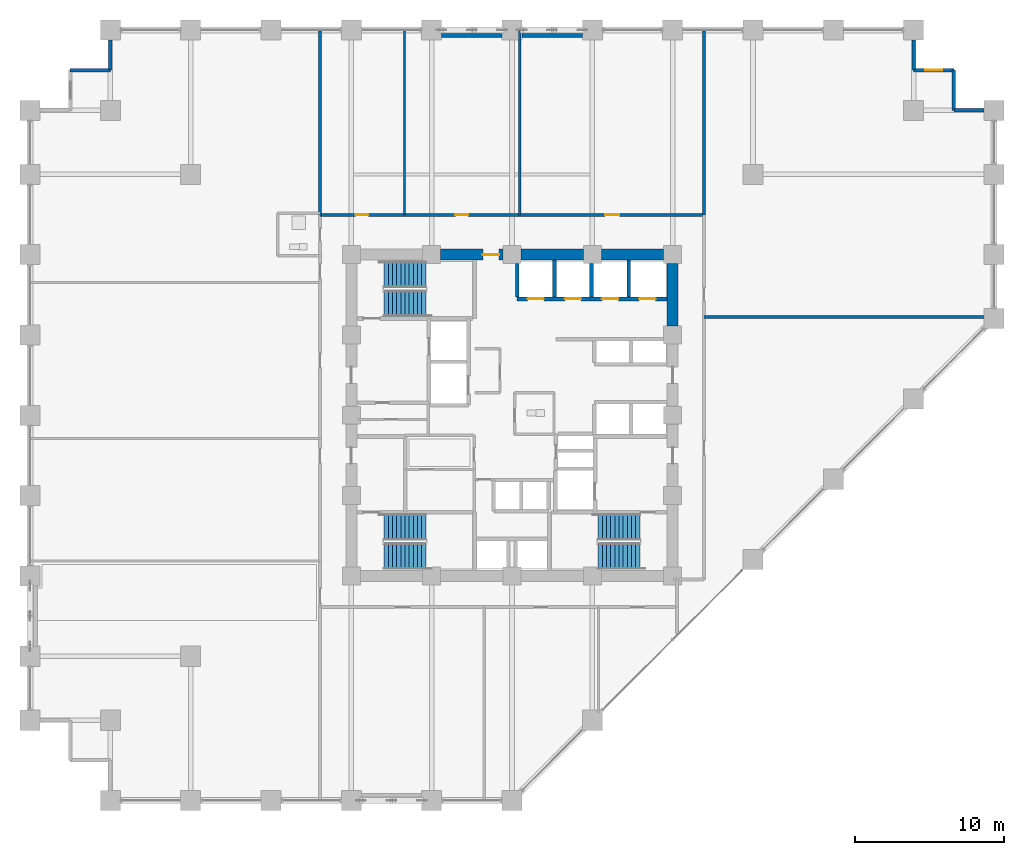
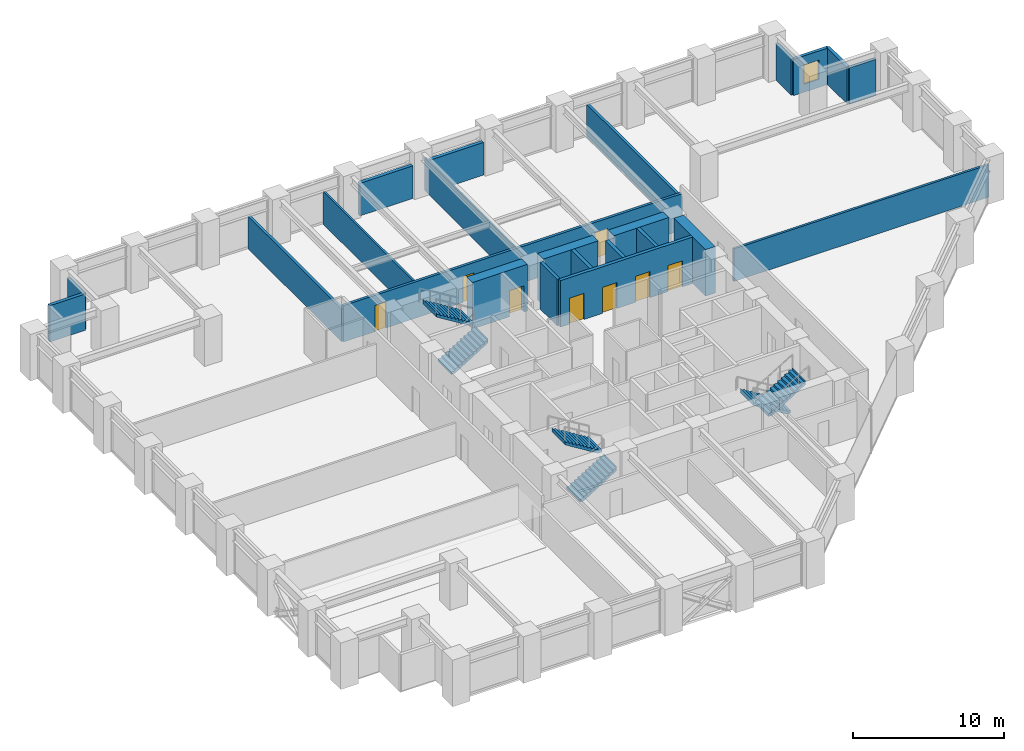
# One storey, part 22 of 25: 23 walls, 8 doors, 6 stair flights, 1 window, 9 openings, 3 elements without a shape of their own.
"""IFC4 building model written with IfcOpenShell, lengths in metres."""

from ifc_helpers import new_model, si_unit, direction, frame, frame_2d, origin, place, context, subcontext, project, spatial, polyline, rectangle, outline, extrude, material, layer, layer_set, type_object, element, fill, aggregate, save


model = new_model("IFC4")

# Units and contexts
model_context = context("Model", 3, precision=1e-05, world=origin(), true_north=direction((0.0, 1.0)))
body_context = subcontext(model_context, "Body", "Model", "MODEL_VIEW")
ifc_project = project(units=[si_unit("LENGTHUNIT", "METRE"), si_unit("AREAUNIT", "SQUARE_METRE"), si_unit("VOLUMEUNIT", "CUBIC_METRE"), si_unit("PLANEANGLEUNIT", "RADIAN"), si_unit("MASSUNIT", "GRAM", prefix="KILO")], contexts=[model_context])

# Site, building, storey
site_placement = place(None, origin())
site = spatial("IfcSite", under=ifc_project, at=site_placement, CompositionType="ELEMENT")
building_placement = place(site_placement, origin())
building = spatial("IfcBuilding", under=site, at=building_placement, Name="Surkhivell Harbour Commons", CompositionType="ELEMENT")
storey_placement = place(building_placement, frame((0.0, 0.0, 45.0)))
storey = spatial("IfcBuildingStorey", under=building, at=storey_placement, Name="L11", CompositionType="ELEMENT", Elevation=45.0)

# Wall, opening, door
ifc_material_1 = material(Name="Concrete C60/75", Category="concrete")
ifc_layer_1 = layer(ifc_material_1, 0.75)
ifc_layer_set_1 = layer_set([ifc_layer_1], Name="Concrete C60/75")
wall_type_1 = type_object("IfcWallType", Name="WAL-CORE-750", PredefinedType="SHEAR", material=ifc_layer_set_1)
wall_1_placement = place(storey_placement, frame((-4.7900390625, 10.800048828125, 0.0), z_axis=(0.0, 0.0, 1.0), x_axis=(1.0, 0.0, 0.0)))
wall_1 = element("IfcWall", 1, at=wall_1_placement, inside=storey, type_object=wall_type_1, Name="L11 Core Shear Wall North 2", PredefinedType="SHEAR", context=body_context, shape_type="SweptSolid", body=[
    extrude(rectangle(XDim=4.179931640625, YDim=0.75, at=frame_2d((2.08984375, 0.0))), origin(), (0.0, 0.0, 1.0), 3.75),
])
opening_1_placement = place(wall_1_placement, frame((2.830078125, 0.0, 0.0)))
opening_1 = element("IfcOpeningElement", 2, at=opening_1_placement, cuts=wall_1, Name="Opening ID-2", PredefinedType="OPENING", context=body_context, shape_type="SweptSolid", body=[
    extrude(rectangle(XDim=1.10009765625, YDim=2.10009765625, at=frame_2d((0.550048828125, 1.050048828125))), frame((0.0, 0.385009765625, 0.0), z_axis=(0.0, -1.0, 0.0), x_axis=(1.0, 0.0, 0.0)), (0.0, 0.0, 1.0), 0.77001953125),
])
ifc_material_2 = material(Name="Hardwood-veneered fire-rated door leaf", Category="wood")
door_type_1 = type_object("IfcDoorType", Name="DOR-FD60-1100", OperationType="NOTDEFINED", PredefinedType="DOOR", material=ifc_material_2)
door_1_placement = place(opening_1_placement, origin())
door_1 = element("IfcDoor", 3, at=door_1_placement, inside=storey, type_object=door_type_1, Name="L11 Central Core Lift Hall North Corridor Door", OperationType="SINGLE_SWING_LEFT", OverallHeight=2.10009765625, OverallWidth=1.10009765625, PredefinedType="DOOR", context=body_context, shape_type="SweptSolid", body=[
    extrude(rectangle(XDim=1.10009765625, YDim=2.10009765625, at=frame_2d((0.550048828125, 1.050048828125))), frame((0.0, 0.02490234375, 0.0), z_axis=(0.0, -1.0, 0.0), x_axis=(1.0, 0.0, 0.0)), (0.0, 0.0, 1.0), 0.050048828125),
])
fill(opening_1, door_1)

# Walls
for number, where, z_axis, x_axis, name in (
    (4, (0.610107421875, 10.800048828125, 0.0), (0.0, 0.0, 1.0), (1.0, 0.0, 0.0), "L11 Core Shear Wall North 3"),
    (5, (6.010009765625, 10.800048828125, 0.0), (0.0, 0.0, 1.0), (1.0, 0.0, 0.0), "L11 Core Shear Wall North 4"),
    (6, (10.800048828125, 6.010009765625, 0.0), (0.0, 0.0, 1.0), (0.0, 1.0, 0.0), "L11 Core Shear Wall East 4"),
):
    element("IfcWall", number, at=place(storey_placement, frame(where, z_axis=z_axis, x_axis=x_axis)), inside=storey, type_object=wall_type_1, Name=name, PredefinedType="SHEAR", context=body_context, shape_type="SweptSolid", body=[
        extrude(rectangle(XDim=4.179931640625, YDim=0.75, at=frame_2d((2.08984375, 0.0))), origin(), (0.0, 0.0, 1.0), 3.75),
    ])
ifc_material_3 = material(Name="Pale-metal insulated precast concrete C45/55", Category="concrete")
ifc_layer_2 = layer(ifc_material_3, 0.260009765625)
ifc_layer_set_2 = layer_set([ifc_layer_2], Name="Pale-metal insulated precast concrete C45/55")
wall_type_2 = type_object("IfcWallType", Name="WAL-EXT-MTL260", PredefinedType="STANDARD", material=ifc_layer_set_2)
for number, where, z_axis, x_axis, name in (
    (7, (-0.673095703125, 25.5400390625, 0.0), (0.0, 0.0, 1.0), (-1.0, 0.0, 0.0), "L11 Braced-Bay Insulated Spandrel Backing N"),
    (8, (4.72705078125, 25.5400390625, 0.0), (0.0, 0.0, 1.0), (-1.0, 0.0, 0.0), "L11 Braced-Bay Insulated Spandrel Backing N2"),
):
    element("IfcWall", number, at=place(storey_placement, frame(where, z_axis=z_axis, x_axis=x_axis)), inside=storey, type_object=wall_type_2, Name=name, PredefinedType="STANDARD", context=body_context, shape_type="SweptSolid", body=[
        extrude(rectangle(XDim=4.053955078125, YDim=0.260009765625, at=frame_2d((2.02685546875, 0.0))), origin(), (0.0, 0.0, 1.0), 2.62890625),
    ])
ifc_material_4 = material(Name="Bronze-ochre cassette precast concrete C45/55", Category="concrete")
ifc_layer_3 = layer(ifc_material_4, 0.239990234375)
ifc_layer_set_3 = layer_set([ifc_layer_3], Name="Bronze-ochre cassette precast concrete C45/55")
wall_type_3 = type_object("IfcWallType", Name="WAL-EXT-OCH240", PredefinedType="STANDARD", material=ifc_layer_set_3)
wall_2_placement = place(storey_placement, frame((31.72705078125, 20.5, 0.0), z_axis=(0.0, 0.0, 1.0), x_axis=(-1.0, 0.0, 0.0)))
element("IfcWall", 9, at=wall_2_placement, inside=storey, type_object=wall_type_3, Name="L11 Serrated Corner Facade Wall 03", PredefinedType="STANDARD", context=body_context, shape_type="SweptSolid", body=[
    extrude(rectangle(XDim=2.027099609375, YDim=0.239990234375, at=frame_2d((1.013671875, 0.0))), origin(), (0.0, 0.0, 1.0), 2.929931640625),
])
wall_3_placement = place(storey_placement, frame((29.699951171875, 20.5, 0.0), z_axis=(0.0, 0.0, 1.0), x_axis=(0.0, 1.0, 0.0)))
element("IfcWall", 10, at=wall_3_placement, inside=storey, type_object=wall_type_3, Name="L11 Serrated Corner Facade Wall 04", PredefinedType="STANDARD", context=body_context, shape_type="SweptSolid", body=[
    extrude(rectangle(XDim=2.699951171875, YDim=0.239990234375, at=frame_2d((1.35009765625, 0.0))), origin(), (0.0, 0.0, 1.0), 2.929931640625),
])

# Wall, opening, window
wall_4_placement = place(storey_placement, frame((29.699951171875, 23.199951171875, 0.0), z_axis=(0.0, 0.0, 1.0), x_axis=(-1.0, 0.0, 0.0)))
wall_4 = element("IfcWall", 11, at=wall_4_placement, inside=storey, type_object=wall_type_3, Name="L11 Serrated Corner Facade Wall 05", PredefinedType="STANDARD", context=body_context, shape_type="SweptSolid", body=[
    extrude(rectangle(XDim=2.699951171875, YDim=0.239990234375, at=frame_2d((1.35009765625, 0.0))), origin(), (0.0, 0.0, 1.0), 2.929931640625),
])
opening_2_placement = place(wall_4_placement, frame((0.77490234375, 0.0, 0.64990234375)))
opening_2 = element("IfcOpeningElement", 12, at=opening_2_placement, cuts=wall_4, Name="Opening WN-10", PredefinedType="OPENING", context=body_context, shape_type="SweptSolid", body=[
    extrude(rectangle(XDim=1.14990234375, YDim=1.550048828125, at=frame_2d((0.574951171875, 0.77490234375))), frame((0.0, 0.1298828125, 0.0), z_axis=(0.0, -1.0, 0.0), x_axis=(1.0, 0.0, 0.0)), (0.0, 0.0, 1.0), 0.260009765625),
])
ifc_material_5 = material(Name="Thermal-break aluminium frame and double low-E glazing", Category="aluminium")
window_type = type_object("IfcWindowType", Name="WIN-SER-1150x1550", PartitioningType="SINGLE_PANEL", PredefinedType="WINDOW", material=ifc_material_5)
window_placement = place(opening_2_placement, origin())
window = element("IfcWindow", 13, at=window_placement, inside=storey, type_object=window_type, Name="L11 Serrated Alcove Window 05", OverallHeight=1.550048828125, OverallWidth=1.14990234375, PartitioningType="SINGLE_PANEL", PredefinedType="WINDOW", context=body_context, shape_type="SweptSolid", body=[
    extrude(rectangle(XDim=1.14990234375, YDim=1.550048828125, at=frame_2d((0.574951171875, 0.77490234375))), frame((0.0, 0.030029296875, 0.0), z_axis=(0.0, -1.0, 0.0), x_axis=(1.0, 0.0, 0.0)), (0.0, 0.0, 1.0), 0.06005859375),
])
fill(opening_2, window)

# Walls
for number, where, z_axis, x_axis, name in (
    (14, (27.0, 23.199951171875, 0.0), (0.0, 0.0, 1.0), (0.0, 1.0, 0.0), "L11 Serrated Corner Facade Wall 06"),
    (15, (-27.0, 25.22705078125, 0.0), (0.0, 0.0, 1.0), (0.0, -1.0, 0.0), "L11 Serrated Corner Facade Wall 08"),
):
    element("IfcWall", number, at=place(storey_placement, frame(where, z_axis=z_axis, x_axis=x_axis)), inside=storey, type_object=wall_type_3, Name=name, PredefinedType="STANDARD", context=body_context, shape_type="SweptSolid", body=[
        extrude(rectangle(XDim=2.027099609375, YDim=0.239990234375, at=frame_2d((1.013671875, 0.0))), origin(), (0.0, 0.0, 1.0), 2.929931640625),
    ])
wall_5_placement = place(storey_placement, frame((-27.0, 23.199951171875, 0.0), z_axis=(0.0, 0.0, 1.0), x_axis=(-1.0, 0.0, 0.0)))
element("IfcWall", 16, at=wall_5_placement, inside=storey, type_object=wall_type_3, Name="L11 Serrated Corner Facade Wall 09", PredefinedType="STANDARD", context=body_context, shape_type="SweptSolid", body=[
    extrude(rectangle(XDim=2.699951171875, YDim=0.239990234375, at=frame_2d((1.35009765625, 0.0))), origin(), (0.0, 0.0, 1.0), 2.929931640625),
])
ifc_material_6 = material(Name="Twin-stud acoustic fireboard partition", Category="other")
ifc_layer_4 = layer(ifc_material_6, 0.14990234375)
ifc_layer_set_4 = layer_set([ifc_layer_4], Name="Twin-stud acoustic fireboard partition")
wall_type_4 = type_object("IfcWallType", Name="WAL-INT-150", PredefinedType="PARTITIONING", material=ifc_layer_set_4)
for number, where, z_axis, x_axis, name in (
    (17, (-7.219970703125, 13.47998046875, 0.0), (0.0, 0.0, 1.0), (0.0, 1.0, 0.0), "L11 North Partition P1"),
    (18, (0.52001953125, 13.47998046875, 0.0), (0.0, 0.0, 1.0), (0.0, 1.0, 0.0), "L11 North Partition P2"),
):
    element("IfcWall", number, at=place(storey_placement, frame(where, z_axis=z_axis, x_axis=x_axis)), inside=storey, type_object=wall_type_4, Name=name, PredefinedType="PARTITIONING", context=body_context, shape_type="SweptSolid", body=[
        extrude(rectangle(XDim=12.360107421875, YDim=0.14990234375, at=frame_2d((6.18017578125, 0.0))), origin(), (0.0, 0.0, 1.0), 2.62890625),
    ])
ifc_material_7 = material(Name="High-density acoustic blockwork fire partition", Category="masonry")
ifc_layer_5 = layer(ifc_material_7, 0.175048828125)
ifc_layer_set_5 = layer_set([ifc_layer_5], Name="High-density acoustic blockwork fire partition")
wall_type_5 = type_object("IfcWallType", Name="WAL-INT-175", PredefinedType="PARTITIONING", material=ifc_layer_set_5)
wall_6_placement = place(storey_placement, frame((12.89990234375, 6.610107421875, 0.0), z_axis=(0.0, 0.0, 1.0), x_axis=(1.0, 0.0, 0.0)))
element("IfcWall", 19, at=wall_6_placement, inside=storey, type_object=wall_type_5, Name="L11 East Partition P1", PredefinedType="PARTITIONING", context=body_context, shape_type="SweptSolid", body=[
    extrude(rectangle(XDim=19.440185546875, YDim=0.175048828125, at=frame_2d((9.72021484375, 0.0))), origin(), (0.0, 0.0, 1.0), 2.62890625),
])
ifc_material_8 = material(Name="Autoclaved aerated concrete blockwork and fire plaster", Category="masonry")
ifc_layer_6 = layer(ifc_material_8, 0.199951171875)
ifc_layer_set_6 = layer_set([ifc_layer_6], Name="Autoclaved aerated concrete blockwork and fire plaster")
wall_type_6 = type_object("IfcWallType", Name="WAL-INT-200", PredefinedType="PARTITIONING", material=ifc_layer_set_6)
for number, where, z_axis, x_axis, name in (
    (20, (12.89990234375, 13.47998046875, 0.0), (0.0, 0.0, 1.0), (0.0, 1.0, 0.0), "L11 North-East Wing Corner Divider"),
    (21, (-12.89990234375, 13.47998046875, 0.0), (0.0, 0.0, 1.0), (0.0, 1.0, 0.0), "L11 North-West Wing Corner Divider"),
):
    element("IfcWall", number, at=place(storey_placement, frame(where, z_axis=z_axis, x_axis=x_axis)), inside=storey, type_object=wall_type_6, Name=name, PredefinedType="PARTITIONING", context=body_context, shape_type="SweptSolid", body=[
        extrude(rectangle(XDim=12.360107421875, YDim=0.199951171875, at=frame_2d((6.18017578125, 0.0))), origin(), (0.0, 0.0, 1.0), 2.62890625),
    ])

# Wall, openings, doors
wall_7_placement = place(storey_placement, frame((-12.89990234375, 13.47998046875, 0.0), z_axis=(0.0, 0.0, 1.0), x_axis=(1.0, 0.0, 0.0)))
wall_7 = element("IfcWall", 22, at=wall_7_placement, inside=storey, type_object=wall_type_6, Name="L11 Corridor North Wall", PredefinedType="PARTITIONING", context=body_context, shape_type="SweptSolid", body=[
    extrude(rectangle(XDim=25.7998046875, YDim=0.199951171875, at=frame_2d((12.89990234375, 0.0))), origin(), (0.0, 0.0, 1.0), 2.929931640625),
])
opening_3_placement = place(wall_7_placement, frame((2.389892578125, 0.0, 0.0)))
opening_3 = element("IfcOpeningElement", 23, at=opening_3_placement, cuts=wall_7, Name="Opening ID-6", PredefinedType="OPENING", context=body_context, shape_type="SweptSolid", body=[
    extrude(rectangle(XDim=0.85009765625, YDim=2.10009765625, at=frame_2d((0.425048828125, 1.050048828125))), frame((0.0, 0.10986328125, 0.0), z_axis=(0.0, -1.0, 0.0), x_axis=(1.0, 0.0, 0.0)), (0.0, 0.0, 1.0), 0.219970703125),
])
opening_4_placement = place(wall_7_placement, frame((9.10009765625, 0.0, 0.0)))
opening_4 = element("IfcOpeningElement", 24, at=opening_4_placement, cuts=wall_7, Name="Opening ID-6", PredefinedType="OPENING", context=body_context, shape_type="SweptSolid", body=[
    extrude(rectangle(XDim=0.85009765625, YDim=2.10009765625, at=frame_2d((0.425048828125, 1.050048828125))), frame((0.0, 0.10986328125, 0.0), z_axis=(0.0, -1.0, 0.0), x_axis=(1.0, 0.0, 0.0)), (0.0, 0.0, 1.0), 0.219970703125),
])
opening_5_placement = place(wall_7_placement, frame((19.159912109375, 0.0, 0.0)))
opening_5 = element("IfcOpeningElement", 25, at=opening_5_placement, cuts=wall_7, Name="Opening ID-4", PredefinedType="OPENING", context=body_context, shape_type="SweptSolid", body=[
    extrude(rectangle(XDim=0.949951171875, YDim=2.10009765625, at=frame_2d((0.47509765625, 1.050048828125))), frame((0.0, 0.10986328125, 0.0), z_axis=(0.0, -1.0, 0.0), x_axis=(1.0, 0.0, 0.0)), (0.0, 0.0, 1.0), 0.219970703125),
])
door_type_2 = type_object("IfcDoorType", Name="DOR-FD30-850", OperationType="NOTDEFINED", PredefinedType="DOOR", material=ifc_material_2)
door_2_placement = place(opening_3_placement, origin())
door_2 = element("IfcDoor", 26, at=door_2_placement, inside=storey, type_object=door_type_2, Name="L11 Co-Working Study Office 1 North Door", OperationType="SINGLE_SWING_LEFT", OverallHeight=2.10009765625, OverallWidth=0.85009765625, PredefinedType="DOOR", context=body_context, shape_type="SweptSolid", body=[
    extrude(rectangle(XDim=0.85009765625, YDim=2.10009765625, at=frame_2d((0.425048828125, 1.050048828125))), frame((0.0, 0.02490234375, 0.0), z_axis=(0.0, -1.0, 0.0), x_axis=(1.0, 0.0, 0.0)), (0.0, 0.0, 1.0), 0.050048828125),
])
fill(opening_3, door_2)
door_3_placement = place(opening_4_placement, origin())
door_3 = element("IfcDoor", 27, at=door_3_placement, inside=storey, type_object=door_type_2, Name="L11 Co-Working Study Office 2 North Door", OperationType="SINGLE_SWING_RIGHT", OverallHeight=2.10009765625, OverallWidth=0.85009765625, PredefinedType="DOOR", context=body_context, shape_type="SweptSolid", body=[
    extrude(rectangle(XDim=0.85009765625, YDim=2.10009765625, at=frame_2d((0.425048828125, 1.050048828125))), frame((0.0, 0.02490234375, 0.0), z_axis=(0.0, -1.0, 0.0), x_axis=(1.0, 0.0, 0.0)), (0.0, 0.0, 1.0), 0.050048828125),
])
fill(opening_4, door_3)
door_type_3 = type_object("IfcDoorType", Name="DOR-FD60-950", OperationType="NOTDEFINED", PredefinedType="DOOR", material=ifc_material_2)
door_4_placement = place(opening_5_placement, origin())
door_4 = element("IfcDoor", 28, at=door_4_placement, inside=storey, type_object=door_type_3, Name="L11 Co-Working Study Office 3 North Door", OperationType="SINGLE_SWING_LEFT", OverallHeight=2.10009765625, OverallWidth=0.949951171875, PredefinedType="DOOR", context=body_context, shape_type="SweptSolid", body=[
    extrude(rectangle(XDim=0.949951171875, YDim=2.10009765625, at=frame_2d((0.47509765625, 1.050048828125))), frame((0.0, 0.02490234375, 0.0), z_axis=(0.0, -1.0, 0.0), x_axis=(1.0, 0.0, 0.0)), (0.0, 0.0, 1.0), 0.050048828125),
])
fill(opening_5, door_4)

# Walls
ifc_material_9 = material(Name="Concrete C50/60", Category="concrete")
ifc_layer_7 = layer(ifc_material_9, 0.25)
ifc_layer_set_7 = layer_set([ifc_layer_7], Name="Concrete C50/60")
wall_type_7 = type_object("IfcWallType", Name="WAL-SHAFT-250", PredefinedType="SHEAR", material=ifc_layer_set_7)
wall_8_placement = place(storey_placement, frame((2.85009765625, 7.93994140625, 0.0), z_axis=(0.0, 0.0, 1.0), x_axis=(0.0, 1.0, 0.0)))
element("IfcWall", 29, at=wall_8_placement, inside=storey, type_object=wall_type_7, Name="L11 Low-Rise Hoistway Wall", PredefinedType="SHEAR", context=body_context, shape_type="SweptSolid", body=[
    extrude(rectangle(XDim=2.485107421875, YDim=0.25, at=frame_2d((1.24267578125, 0.0))), origin(), (0.0, 0.0, 1.0), 3.75),
])
for number, where, z_axis, x_axis, name in (
    (30, (0.35009765625, 7.93994140625, 0.0), (0.0, 0.0, 1.0), (0.0, 1.0, 0.0), "L11 Low-Rise Hoistway Wall"),
    (31, (5.35009765625, 7.93994140625, 0.0), (0.0, 0.0, 1.0), (0.0, 1.0, 0.0), "L11 Low-Rise Hoistway Wall"),
):
    element("IfcWall", number, at=place(storey_placement, frame(where, z_axis=z_axis, x_axis=x_axis)), inside=storey, type_object=wall_type_7, Name=name, PredefinedType="SHEAR", context=body_context, shape_type="SweptSolid", body=[
        extrude(rectangle(XDim=2.260009765625, YDim=0.25, at=frame_2d((1.1298828125, 0.0))), origin(), (0.0, 0.0, 1.0), 3.75),
    ])
wall_9_placement = place(storey_placement, frame((7.85009765625, 7.93994140625, 0.0), z_axis=(0.0, 0.0, 1.0), x_axis=(0.0, 1.0, 0.0)))
element("IfcWall", 32, at=wall_9_placement, inside=storey, type_object=wall_type_7, Name="L11 Low-Rise Hoistway Wall", PredefinedType="SHEAR", context=body_context, shape_type="SweptSolid", body=[
    extrude(rectangle(XDim=2.485107421875, YDim=0.25, at=frame_2d((1.24267578125, 0.0))), origin(), (0.0, 0.0, 1.0), 3.75),
])

# Wall, openings, doors
wall_10_placement = place(storey_placement, frame((0.35009765625, 7.820068359375, 0.0), z_axis=(0.0, 0.0, 1.0), x_axis=(1.0, 0.0, 0.0)))
wall_10 = element("IfcWall", 33, at=wall_10_placement, inside=storey, type_object=wall_type_7, Name="L11 Low-Rise Lift Front Shaft Wall", PredefinedType="SHEAR", context=body_context, shape_type="SweptSolid", body=[
    extrude(rectangle(XDim=10.074951171875, YDim=0.25, at=frame_2d((5.03759765625, 0.0))), origin(), (0.0, 0.0, 1.0), 3.75),
])
opening_6_placement = place(wall_10_placement, frame((0.699951171875, 0.0, 0.0)))
opening_6 = element("IfcOpeningElement", 34, at=opening_6_placement, cuts=wall_10, Name="Opening LD-1", PredefinedType="OPENING", context=body_context, shape_type="SweptSolid", body=[
    extrude(rectangle(XDim=1.10009765625, YDim=2.10009765625, at=frame_2d((0.550048828125, 1.050048828125))), frame((0.0, 0.135009765625, 0.0), z_axis=(0.0, -1.0, 0.0), x_axis=(1.0, 0.0, 0.0)), (0.0, 0.0, 1.0), 0.27001953125),
])
opening_7_placement = place(wall_10_placement, frame((3.199951171875, 0.0, 0.0)))
opening_7 = element("IfcOpeningElement", 35, at=opening_7_placement, cuts=wall_10, Name="Opening LD-1", PredefinedType="OPENING", context=body_context, shape_type="SweptSolid", body=[
    extrude(rectangle(XDim=1.10009765625, YDim=2.10009765625, at=frame_2d((0.550048828125, 1.050048828125))), frame((0.0, 0.135009765625, 0.0), z_axis=(0.0, -1.0, 0.0), x_axis=(1.0, 0.0, 0.0)), (0.0, 0.0, 1.0), 0.27001953125),
])
opening_8_placement = place(wall_10_placement, frame((5.699951171875, 0.0, 0.0)))
opening_8 = element("IfcOpeningElement", 36, at=opening_8_placement, cuts=wall_10, Name="Opening LD-1", PredefinedType="OPENING", context=body_context, shape_type="SweptSolid", body=[
    extrude(rectangle(XDim=1.10009765625, YDim=2.10009765625, at=frame_2d((0.550048828125, 1.050048828125))), frame((0.0, 0.135009765625, 0.0), z_axis=(0.0, -1.0, 0.0), x_axis=(1.0, 0.0, 0.0)), (0.0, 0.0, 1.0), 0.27001953125),
])
opening_9_placement = place(wall_10_placement, frame((8.199951171875, 0.0, 0.0)))
opening_9 = element("IfcOpeningElement", 37, at=opening_9_placement, cuts=wall_10, Name="Opening LD-1", PredefinedType="OPENING", context=body_context, shape_type="SweptSolid", body=[
    extrude(rectangle(XDim=1.10009765625, YDim=2.10009765625, at=frame_2d((0.550048828125, 1.050048828125))), frame((0.0, 0.135009765625, 0.0), z_axis=(0.0, -1.0, 0.0), x_axis=(1.0, 0.0, 0.0)), (0.0, 0.0, 1.0), 0.27001953125),
])
ifc_material_10 = material(Name="Brushed stainless steel S355", Category="steel")
door_type_4 = type_object("IfcDoorType", Name="DOR-LD-1100", OperationType="SLIDING_TO_LEFT", PredefinedType="DOOR", material=ifc_material_10)
door_5_placement = place(opening_6_placement, origin())
door_5 = element("IfcDoor", 38, at=door_5_placement, inside=storey, type_object=door_type_4, Name="L11 Lift Landing Door LD-PL1", OperationType="SLIDING_TO_LEFT", OverallHeight=2.10009765625, OverallWidth=1.10009765625, PredefinedType="DOOR", context=body_context, shape_type="SweptSolid", body=[
    extrude(rectangle(XDim=1.10009765625, YDim=2.10009765625, at=frame_2d((0.550048828125, 1.050048828125))), frame((0.0, 0.02490234375, 0.0), z_axis=(0.0, -1.0, 0.0), x_axis=(1.0, 0.0, 0.0)), (0.0, 0.0, 1.0), 0.050048828125),
])
fill(opening_6, door_5)
door_6_placement = place(opening_7_placement, origin())
door_6 = element("IfcDoor", 39, at=door_6_placement, inside=storey, type_object=door_type_4, Name="L11 Lift Landing Door LD-PL2", OperationType="SLIDING_TO_LEFT", OverallHeight=2.10009765625, OverallWidth=1.10009765625, PredefinedType="DOOR", context=body_context, shape_type="SweptSolid", body=[
    extrude(rectangle(XDim=1.10009765625, YDim=2.10009765625, at=frame_2d((0.550048828125, 1.050048828125))), frame((0.0, 0.02490234375, 0.0), z_axis=(0.0, -1.0, 0.0), x_axis=(1.0, 0.0, 0.0)), (0.0, 0.0, 1.0), 0.050048828125),
])
fill(opening_7, door_6)
door_7_placement = place(opening_8_placement, origin())
door_7 = element("IfcDoor", 40, at=door_7_placement, inside=storey, type_object=door_type_4, Name="L11 Lift Landing Door LD-PL3", OperationType="SLIDING_TO_LEFT", OverallHeight=2.10009765625, OverallWidth=1.10009765625, PredefinedType="DOOR", context=body_context, shape_type="SweptSolid", body=[
    extrude(rectangle(XDim=1.10009765625, YDim=2.10009765625, at=frame_2d((0.550048828125, 1.050048828125))), frame((0.0, 0.02490234375, 0.0), z_axis=(0.0, -1.0, 0.0), x_axis=(1.0, 0.0, 0.0)), (0.0, 0.0, 1.0), 0.050048828125),
])
fill(opening_8, door_7)
door_8_placement = place(opening_9_placement, origin())
door_8 = element("IfcDoor", 41, at=door_8_placement, inside=storey, type_object=door_type_4, Name="L11 Lift Landing Door LD-PL4", OperationType="SLIDING_TO_LEFT", OverallHeight=2.10009765625, OverallWidth=1.10009765625, PredefinedType="DOOR", context=body_context, shape_type="SweptSolid", body=[
    extrude(rectangle(XDim=1.10009765625, YDim=2.10009765625, at=frame_2d((0.550048828125, 1.050048828125))), frame((0.0, 0.02490234375, 0.0), z_axis=(0.0, -1.0, 0.0), x_axis=(1.0, 0.0, 0.0)), (0.0, 0.0, 1.0), 0.050048828125),
])
fill(opening_9, door_8)

# Stair, stair flights
ifc_material_11 = material(Name="Precast concrete C45/55", Category="concrete")
stair_type = type_object("IfcStairType", Name="STR-DL-375", PredefinedType="HALF_TURN_STAIR", material=ifc_material_11)
stair_1_placement = place(storey_placement, origin())
stair_1 = element("IfcStair", 42, at=stair_1_placement, inside=storey, type_object=stair_type, Name="L11 Core Exit Stair ST1", PredefinedType="HALF_TURN_STAIR")
stair_flight_type = type_object("IfcStairFlightType", Name="STF-DL-375", PredefinedType="STRAIGHT", material=ifc_material_11)
stair_flight_1_placement = place(storey_placement, frame((-8.590087890625, 7.514892578125, 0.0), z_axis=(0.0, 0.0, 1.0), x_axis=(1.0, 0.0, 0.0)))
stair_flight_1 = element("IfcStairFlight", 43, at=stair_flight_1_placement, type_object=stair_flight_type, Name="ST1 flight 1", NumberOfRisers=11, NumberOfTreads=10, PredefinedType="STRAIGHT", RiserHeight=0.170454545, TreadLength=0.28, context=body_context, shape_type="SweptSolid", body=[
    extrude(outline(polyline([(-0.0029296875, -0.034912109375), (-0.0029296875, 0.0), (0.0, 0.0), (0.0, 0.17041015625), (0.280029296875, 0.17041015625), (0.280029296875, 0.3408203125), (0.56005859375, 0.3408203125), (0.56005859375, 0.511474609375), (0.840087890625, 0.511474609375), (0.840087890625, 0.681884765625), (1.1201171875, 0.681884765625), (1.1201171875, 0.852294921875), (1.39990234375, 0.852294921875), (1.39990234375, 1.022705078125), (1.679931640625, 1.022705078125), (1.679931640625, 1.193115234375), (1.9599609375, 1.193115234375), (1.9599609375, 1.363525390625), (2.239990234375, 1.363525390625), (2.239990234375, 1.5341796875), (2.52001953125, 1.5341796875), (2.52001953125, 1.70458984375), (2.800048828125, 1.70458984375), (2.800048828125, 1.875), (2.802978515625, 1.875), (2.802978515625, 1.529052734375), (0.288330078125, -0.034912109375), (-0.0029296875, -0.034912109375)])), frame((0.0, 0.875, 0.0), z_axis=(0.0, -1.0, 0.0), x_axis=(1.0, 0.0, 0.0)), (0.0, 0.0, 1.0), 1.75),
])
stair_flight_2_placement = place(storey_placement, frame((-5.7900390625, 9.465087890625, 1.875), z_axis=(0.0, 0.0, 1.0), x_axis=(-1.0, 0.0, 0.0)))
stair_flight_2 = element("IfcStairFlight", 44, at=stair_flight_2_placement, type_object=stair_flight_type, Name="ST1 flight 2", NumberOfRisers=11, NumberOfTreads=10, PredefinedType="STRAIGHT", RiserHeight=0.170454545, TreadLength=0.28, context=body_context, shape_type="SweptSolid", body=[
    extrude(outline(polyline([(-0.0029296875, -0.034912109375), (-0.0029296875, 0.0), (0.0, 0.0), (0.0, 0.17041015625), (0.280029296875, 0.17041015625), (0.280029296875, 0.3408203125), (0.56005859375, 0.3408203125), (0.56005859375, 0.511474609375), (0.840087890625, 0.511474609375), (0.840087890625, 0.681884765625), (1.1201171875, 0.681884765625), (1.1201171875, 0.852294921875), (1.39990234375, 0.852294921875), (1.39990234375, 1.022705078125), (1.679931640625, 1.022705078125), (1.679931640625, 1.193115234375), (1.9599609375, 1.193115234375), (1.9599609375, 1.363525390625), (2.239990234375, 1.363525390625), (2.239990234375, 1.5341796875), (2.52001953125, 1.5341796875), (2.52001953125, 1.70458984375), (2.800048828125, 1.70458984375), (2.800048828125, 1.875), (2.802978515625, 1.875), (2.802978515625, 1.529052734375), (0.288330078125, -0.034912109375), (-0.0029296875, -0.034912109375)])), frame((0.0, 0.875, 0.0), z_axis=(0.0, -1.0, 0.0), x_axis=(1.0, 0.0, 0.0)), (0.0, 0.0, 1.0), 1.75),
])
aggregate(stair_1, [stair_flight_1, stair_flight_2])

stair_2_placement = place(storey_placement, origin())
stair_2 = element("IfcStair", 45, at=stair_2_placement, inside=storey, type_object=stair_type, Name="L11 Core Exit Stair ST2", PredefinedType="HALF_TURN_STAIR")
stair_flight_3_placement = place(storey_placement, frame((8.590087890625, -7.514892578125, 0.0), z_axis=(0.0, 0.0, 1.0), x_axis=(-1.0, 0.0, 0.0)))
stair_flight_3 = element("IfcStairFlight", 46, at=stair_flight_3_placement, type_object=stair_flight_type, Name="ST2 flight 1", NumberOfRisers=11, NumberOfTreads=10, PredefinedType="STRAIGHT", RiserHeight=0.170454545, TreadLength=0.28, context=body_context, shape_type="SweptSolid", body=[
    extrude(outline(polyline([(-0.0029296875, -0.034912109375), (-0.0029296875, 0.0), (0.0, 0.0), (0.0, 0.17041015625), (0.280029296875, 0.17041015625), (0.280029296875, 0.3408203125), (0.56005859375, 0.3408203125), (0.56005859375, 0.511474609375), (0.840087890625, 0.511474609375), (0.840087890625, 0.681884765625), (1.1201171875, 0.681884765625), (1.1201171875, 0.852294921875), (1.39990234375, 0.852294921875), (1.39990234375, 1.022705078125), (1.679931640625, 1.022705078125), (1.679931640625, 1.193115234375), (1.9599609375, 1.193115234375), (1.9599609375, 1.363525390625), (2.239990234375, 1.363525390625), (2.239990234375, 1.5341796875), (2.52001953125, 1.5341796875), (2.52001953125, 1.70458984375), (2.800048828125, 1.70458984375), (2.800048828125, 1.875), (2.802978515625, 1.875), (2.802978515625, 1.529052734375), (0.288330078125, -0.034912109375), (-0.0029296875, -0.034912109375)])), frame((0.0, 0.875, 0.0), z_axis=(0.0, -1.0, 0.0), x_axis=(1.0, 0.0, 0.0)), (0.0, 0.0, 1.0), 1.75),
])
stair_flight_4_placement = place(storey_placement, frame((5.7900390625, -9.465087890625, 1.875), z_axis=(0.0, 0.0, 1.0), x_axis=(1.0, 0.0, 0.0)))
stair_flight_4 = element("IfcStairFlight", 47, at=stair_flight_4_placement, type_object=stair_flight_type, Name="ST2 flight 2", NumberOfRisers=11, NumberOfTreads=10, PredefinedType="STRAIGHT", RiserHeight=0.170454545, TreadLength=0.28, context=body_context, shape_type="SweptSolid", body=[
    extrude(outline(polyline([(-0.0029296875, -0.034912109375), (-0.0029296875, 0.0), (0.0, 0.0), (0.0, 0.17041015625), (0.280029296875, 0.17041015625), (0.280029296875, 0.3408203125), (0.56005859375, 0.3408203125), (0.56005859375, 0.511474609375), (0.840087890625, 0.511474609375), (0.840087890625, 0.681884765625), (1.1201171875, 0.681884765625), (1.1201171875, 0.852294921875), (1.39990234375, 0.852294921875), (1.39990234375, 1.022705078125), (1.679931640625, 1.022705078125), (1.679931640625, 1.193115234375), (1.9599609375, 1.193115234375), (1.9599609375, 1.363525390625), (2.239990234375, 1.363525390625), (2.239990234375, 1.5341796875), (2.52001953125, 1.5341796875), (2.52001953125, 1.70458984375), (2.800048828125, 1.70458984375), (2.800048828125, 1.875), (2.802978515625, 1.875), (2.802978515625, 1.529052734375), (0.288330078125, -0.034912109375), (-0.0029296875, -0.034912109375)])), frame((0.0, 0.875, 0.0), z_axis=(0.0, -1.0, 0.0), x_axis=(1.0, 0.0, 0.0)), (0.0, 0.0, 1.0), 1.75),
])
aggregate(stair_2, [stair_flight_3, stair_flight_4])

stair_3_placement = place(storey_placement, origin())
stair_3 = element("IfcStair", 48, at=stair_3_placement, inside=storey, type_object=stair_type, Name="L11 Core Exit Stair ST3", PredefinedType="HALF_TURN_STAIR")
stair_flight_5_placement = place(storey_placement, frame((-8.590087890625, -9.465087890625, 0.0), z_axis=(0.0, 0.0, 1.0), x_axis=(1.0, 0.0, 0.0)))
stair_flight_5 = element("IfcStairFlight", 49, at=stair_flight_5_placement, type_object=stair_flight_type, Name="ST3 flight 1", NumberOfRisers=11, NumberOfTreads=10, PredefinedType="STRAIGHT", RiserHeight=0.170454545, TreadLength=0.28, context=body_context, shape_type="SweptSolid", body=[
    extrude(outline(polyline([(-0.0029296875, -0.034912109375), (-0.0029296875, 0.0), (0.0, 0.0), (0.0, 0.17041015625), (0.280029296875, 0.17041015625), (0.280029296875, 0.3408203125), (0.56005859375, 0.3408203125), (0.56005859375, 0.511474609375), (0.840087890625, 0.511474609375), (0.840087890625, 0.681884765625), (1.1201171875, 0.681884765625), (1.1201171875, 0.852294921875), (1.39990234375, 0.852294921875), (1.39990234375, 1.022705078125), (1.679931640625, 1.022705078125), (1.679931640625, 1.193115234375), (1.9599609375, 1.193115234375), (1.9599609375, 1.363525390625), (2.239990234375, 1.363525390625), (2.239990234375, 1.5341796875), (2.52001953125, 1.5341796875), (2.52001953125, 1.70458984375), (2.800048828125, 1.70458984375), (2.800048828125, 1.875), (2.802978515625, 1.875), (2.802978515625, 1.529052734375), (0.288330078125, -0.034912109375), (-0.0029296875, -0.034912109375)])), frame((0.0, 0.875, 0.0), z_axis=(0.0, -1.0, 0.0), x_axis=(1.0, 0.0, 0.0)), (0.0, 0.0, 1.0), 1.75),
])
stair_flight_6_placement = place(storey_placement, frame((-5.7900390625, -7.514892578125, 1.875), z_axis=(0.0, 0.0, 1.0), x_axis=(-1.0, 0.0, 0.0)))
stair_flight_6 = element("IfcStairFlight", 50, at=stair_flight_6_placement, type_object=stair_flight_type, Name="ST3 flight 2", NumberOfRisers=11, NumberOfTreads=10, PredefinedType="STRAIGHT", RiserHeight=0.170454545, TreadLength=0.28, context=body_context, shape_type="SweptSolid", body=[
    extrude(outline(polyline([(-0.0029296875, -0.034912109375), (-0.0029296875, 0.0), (0.0, 0.0), (0.0, 0.17041015625), (0.280029296875, 0.17041015625), (0.280029296875, 0.3408203125), (0.56005859375, 0.3408203125), (0.56005859375, 0.511474609375), (0.840087890625, 0.511474609375), (0.840087890625, 0.681884765625), (1.1201171875, 0.681884765625), (1.1201171875, 0.852294921875), (1.39990234375, 0.852294921875), (1.39990234375, 1.022705078125), (1.679931640625, 1.022705078125), (1.679931640625, 1.193115234375), (1.9599609375, 1.193115234375), (1.9599609375, 1.363525390625), (2.239990234375, 1.363525390625), (2.239990234375, 1.5341796875), (2.52001953125, 1.5341796875), (2.52001953125, 1.70458984375), (2.800048828125, 1.70458984375), (2.800048828125, 1.875), (2.802978515625, 1.875), (2.802978515625, 1.529052734375), (0.288330078125, -0.034912109375), (-0.0029296875, -0.034912109375)])), frame((0.0, 0.875, 0.0), z_axis=(0.0, -1.0, 0.0), x_axis=(1.0, 0.0, 0.0)), (0.0, 0.0, 1.0), 1.75),
])
aggregate(stair_3, [stair_flight_5, stair_flight_6])

save(model, "model.ifc")
